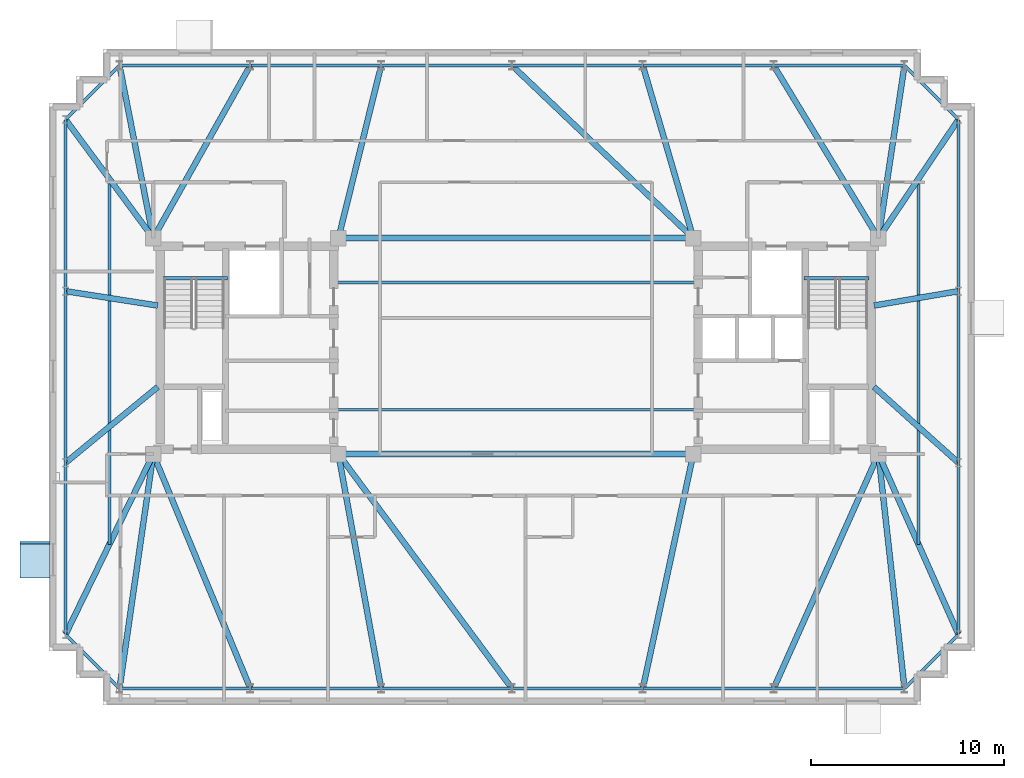
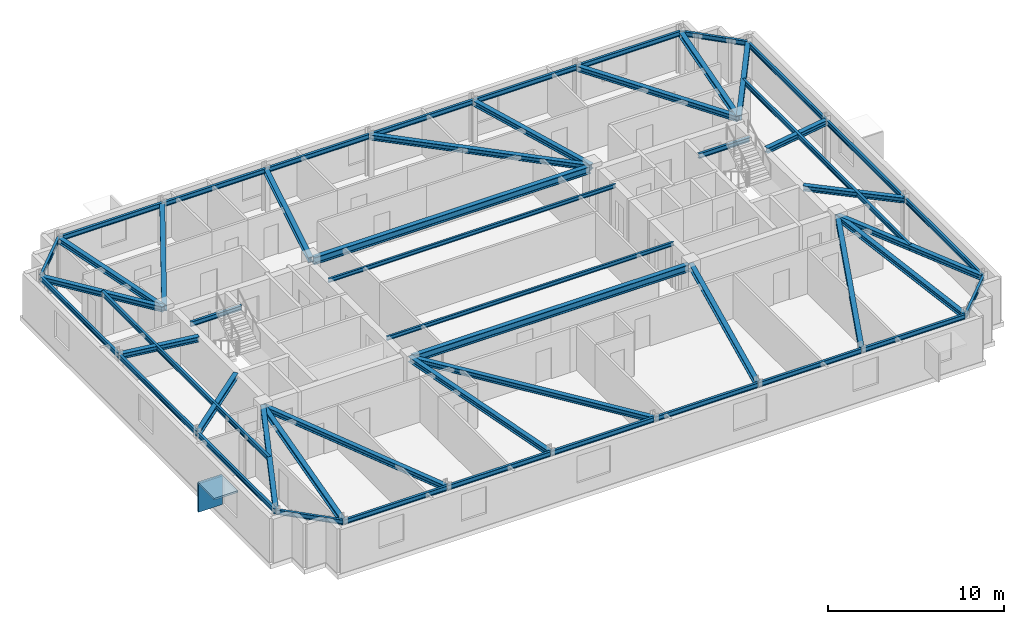
# One storey, part 4 of 11: 52 beams, 2 plates.
"""IFC4 building model written with IfcOpenShell, lengths in metres."""

from ifc_helpers import new_model, si_unit, direction, frame, origin, origin_2d, place, context, subcontext, project, spatial, rectangle, i_section, extrude, material, layer, layer_set, material_profile, profile_set, type_object, element, save


model = new_model("IFC4")

# Units and contexts
model_context = context("Model", 3, precision=1e-05, world=origin(), true_north=direction((0.0, 1.0)))
body_context = subcontext(model_context, "Body", "Model", "MODEL_VIEW")
ifc_project = project(units=[si_unit("LENGTHUNIT", "METRE"), si_unit("AREAUNIT", "SQUARE_METRE"), si_unit("VOLUMEUNIT", "CUBIC_METRE"), si_unit("PLANEANGLEUNIT", "RADIAN"), si_unit("MASSUNIT", "GRAM", prefix="KILO")], contexts=[model_context])

# Site, building, storey
site_placement = place(None, origin())
site = spatial("IfcSite", under=ifc_project, at=site_placement, CompositionType="ELEMENT")
building_placement = place(site_placement, origin())
building = spatial("IfcBuilding", under=site, at=building_placement, Name="Qobustan Lattice House", CompositionType="ELEMENT")
storey_placement = place(building_placement, frame((0.0, 0.0, 255.10009765625)))
storey = spatial("IfcBuildingStorey", under=building, at=storey_placement, Name="L72", CompositionType="ELEMENT", Elevation=255.10009765625)

# Beams
ifc_material_1 = material(Name="Steel S355", Category="steel")
ifc_material_profile_1 = material_profile(ifc_material_1, i_section(OverallWidth=0.300048828125, OverallDepth=0.5, WebThickness=0.014404296875, FlangeThickness=0.028076171875, FilletRadius=0.027099609375, at=origin_2d()), Name="HEB500")
ifc_profile_set_1 = profile_set([ifc_material_profile_1], Name="Steel S355")
beam_type_1 = type_object("IfcBeamType", Name="BM-CG-HEB500", PredefinedType="USERDEFINED", material=ifc_profile_set_1)
for number, where, z_axis, x_axis, name in (
    (1, (-9.050048828125, -5.60009765625, 2.789794921875), (1.0, 0.0, 0.0), (0.0, 1.0, 0.0), "L72 core spine girder CG-CS"),
    (2, (-9.050048828125, 5.60009765625, 2.789794921875), (1.0, 0.0, 0.0), (0.0, 1.0, 0.0), "L72 core spine girder CG-CN"),
):
    element("IfcBeam", number, at=place(storey_placement, frame(where, z_axis=z_axis, x_axis=x_axis)), inside=storey, type_object=beam_type_1, Name=name, ObjectType="GIRDER", PredefinedType="USERDEFINED", context=body_context, shape_type="SweptSolid", body=[
        extrude(i_section(OverallWidth=0.300048828125, OverallDepth=0.5, WebThickness=0.014404296875, FlangeThickness=0.028076171875, FilletRadius=0.027099609375, at=origin_2d()), origin(), (0.0, 0.0, 1.0), 18.10009765625),
    ])
ifc_material_2 = material(Name="Steel S355", Category="steel")
ifc_material_profile_2 = material_profile(ifc_material_2, i_section(OverallWidth=0.300048828125, OverallDepth=0.360107421875, WebThickness=0.012451171875, FlangeThickness=0.0224609375, FilletRadius=0.027099609375, at=origin_2d()), Name="HEB360")
ifc_profile_set_2 = profile_set([ifc_material_profile_2], Name="Steel S355")
beam_type_2 = type_object("IfcBeamType", Name="BM-FLG-HEB360", PredefinedType="USERDEFINED", material=ifc_profile_set_2)
beam_1_placement = place(storey_placement, frame((-20.54638671875, -17.725341796875, 2.85986328125), z_axis=(0.142545171265, 0.989788297642, 0.0), x_axis=(-0.989788297642, 0.142545171265, 0.0)))
element("IfcBeam", 3, at=beam_1_placement, inside=storey, type_object=beam_type_2, Name="L72 primary floor girder RAD-S1W", ObjectType="GIRDER", PredefinedType="USERDEFINED", context=body_context, shape_type="SweptSolid", body=[
    extrude(i_section(OverallWidth=0.300048828125, OverallDepth=0.360107421875, WebThickness=0.012451171875, FlangeThickness=0.0224609375, FilletRadius=0.027099609375, at=origin_2d()), origin(), (0.0, 0.0, 1.0), 12.225341796875),
])
beam_2_placement = place(storey_placement, frame((-13.7763671875, -17.726806640625, 2.85986328125), z_axis=(-0.38270783551, 0.92386942402, 0.0), x_axis=(-0.92386942402, -0.38270783551, 0.0)))
element("IfcBeam", 4, at=beam_2_placement, inside=storey, type_object=beam_type_2, Name="L72 primary floor girder RAD-S2", ObjectType="GIRDER", PredefinedType="USERDEFINED", context=body_context, shape_type="SweptSolid", body=[
    extrude(i_section(OverallWidth=0.300048828125, OverallDepth=0.360107421875, WebThickness=0.012451171875, FlangeThickness=0.0224609375, FilletRadius=0.027099609375, at=origin_2d()), origin(), (0.0, 0.0, 1.0), 13.10107421875),
])
beam_3_placement = place(storey_placement, frame((-6.98779296875, -17.725341796875, 2.85986328125), z_axis=(-0.179484493831, 0.983760802469, 0.0), x_axis=(-0.983760802469, -0.179484493831, 0.0)))
element("IfcBeam", 5, at=beam_3_placement, inside=storey, type_object=beam_type_2, Name="L72 primary floor girder RAD-S3", ObjectType="GIRDER", PredefinedType="USERDEFINED", context=body_context, shape_type="SweptSolid", body=[
    extrude(i_section(OverallWidth=0.300048828125, OverallDepth=0.360107421875, WebThickness=0.012451171875, FlangeThickness=0.0224609375, FilletRadius=0.027099609375, at=origin_2d()), origin(), (0.0, 0.0, 1.0), 12.300537109375),
])
beam_4_placement = place(storey_placement, frame((-0.21484375, -17.72998046875, 2.85986328125), z_axis=(-0.595225226069, 0.803558915233, 0.0), x_axis=(-0.803558915233, -0.595225226069, 0.0)))
element("IfcBeam", 6, at=beam_4_placement, inside=storey, type_object=beam_type_2, Name="L72 primary floor girder RAD-S4", ObjectType="GIRDER", PredefinedType="USERDEFINED", context=body_context, shape_type="SweptSolid", body=[
    extrude(i_section(OverallWidth=0.300048828125, OverallDepth=0.360107421875, WebThickness=0.012451171875, FlangeThickness=0.0224609375, FilletRadius=0.027099609375, at=origin_2d()), origin(), (0.0, 0.0, 1.0), 15.0703125),
])
beam_5_placement = place(storey_placement, frame((6.588623046875, -17.7255859375, 2.85986328125), z_axis=(0.210523018319, 0.977588900693, 0.0), x_axis=(-0.977588900693, 0.210523018319, 0.0)))
element("IfcBeam", 7, at=beam_5_placement, inside=storey, type_object=beam_type_2, Name="L72 primary floor girder RAD-S5", ObjectType="GIRDER", PredefinedType="USERDEFINED", context=body_context, shape_type="SweptSolid", body=[
    extrude(i_section(OverallWidth=0.300048828125, OverallDepth=0.360107421875, WebThickness=0.012451171875, FlangeThickness=0.0224609375, FilletRadius=0.027099609375, at=origin_2d()), origin(), (0.0, 0.0, 1.0), 12.37841796875),
])
beam_6_placement = place(storey_placement, frame((13.376953125, -17.727294921875, 2.85986328125), z_axis=(0.408219903586, 0.912883623643, 0.0), x_axis=(-0.912883623643, 0.408219903586, 0.0)))
element("IfcBeam", 8, at=beam_6_placement, inside=storey, type_object=beam_type_2, Name="L72 primary floor girder RAD-S6", ObjectType="GIRDER", PredefinedType="USERDEFINED", context=body_context, shape_type="SweptSolid", body=[
    extrude(i_section(OverallWidth=0.300048828125, OverallDepth=0.360107421875, WebThickness=0.012451171875, FlangeThickness=0.0224609375, FilletRadius=0.027099609375, at=origin_2d()), origin(), (0.0, 0.0, 1.0), 13.259521484375),
])
beam_7_placement = place(storey_placement, frame((20.147216796875, -17.72509765625, 2.85986328125), z_axis=(-0.110431526075, 0.993883734674, 0.0), x_axis=(-0.993883734674, -0.110431526075, 0.0)))
element("IfcBeam", 9, at=beam_7_placement, inside=storey, type_object=beam_type_2, Name="L72 primary floor girder RAD-S7E", ObjectType="GIRDER", PredefinedType="USERDEFINED", context=body_context, shape_type="SweptSolid", body=[
    extrude(i_section(OverallWidth=0.300048828125, OverallDepth=0.360107421875, WebThickness=0.012451171875, FlangeThickness=0.0224609375, FilletRadius=0.027099609375, at=origin_2d()), origin(), (0.0, 0.0, 1.0), 12.1748046875),
])
beam_8_placement = place(storey_placement, frame((-20.545166015625, 14.525390625, 2.85986328125), z_axis=(0.191905644581, -0.981413380578, 0.0), x_axis=(0.981413380578, 0.191905644581, 0.0)))
element("IfcBeam", 10, at=beam_8_placement, inside=storey, type_object=beam_type_2, Name="L72 primary floor girder RAD-N7W", ObjectType="GIRDER", PredefinedType="USERDEFINED", context=body_context, shape_type="SweptSolid", body=[
    extrude(i_section(OverallWidth=0.300048828125, OverallDepth=0.360107421875, WebThickness=0.012451171875, FlangeThickness=0.0224609375, FilletRadius=0.027099609375, at=origin_2d()), origin(), (0.0, 0.0, 1.0), 9.0693359375),
])
beam_9_placement = place(storey_placement, frame((-13.779052734375, 14.5283203125, 2.85986328125), z_axis=(-0.490160276962, -0.871632320929, 0.0), x_axis=(0.871632320929, -0.490160276962, 0.0)))
element("IfcBeam", 11, at=beam_9_placement, inside=storey, type_object=beam_type_2, Name="L72 primary floor girder RAD-N6", ObjectType="GIRDER", PredefinedType="USERDEFINED", context=body_context, shape_type="SweptSolid", body=[
    extrude(i_section(OverallWidth=0.300048828125, OverallDepth=0.360107421875, WebThickness=0.012451171875, FlangeThickness=0.0224609375, FilletRadius=0.027099609375, at=origin_2d()), origin(), (0.0, 0.0, 1.0), 10.21826171875),
])
beam_10_placement = place(storey_placement, frame((-6.9892578125, 14.525634765625, 2.85986328125), z_axis=(-0.240430288899, -0.970666408289, 0.0), x_axis=(0.970666408289, -0.240430288899, 0.0)))
element("IfcBeam", 12, at=beam_10_placement, inside=storey, type_object=beam_type_2, Name="L72 primary floor girder RAD-N5", ObjectType="GIRDER", PredefinedType="USERDEFINED", context=body_context, shape_type="SweptSolid", body=[
    extrude(i_section(OverallWidth=0.300048828125, OverallDepth=0.360107421875, WebThickness=0.012451171875, FlangeThickness=0.0224609375, FilletRadius=0.027099609375, at=origin_2d()), origin(), (0.0, 0.0, 1.0), 9.17041015625),
])
beam_11_placement = place(storey_placement, frame((-0.181884765625, 14.53271484375, 2.85986328125), z_axis=(0.724228633775, -0.689559921995, 0.0), x_axis=(0.689559921995, 0.724228633775, 0.0)))
element("IfcBeam", 13, at=beam_11_placement, inside=storey, type_object=beam_type_2, Name="L72 primary floor girder RAD-N4", ObjectType="GIRDER", PredefinedType="USERDEFINED", context=body_context, shape_type="SweptSolid", body=[
    extrude(i_section(OverallWidth=0.300048828125, OverallDepth=0.360107421875, WebThickness=0.012451171875, FlangeThickness=0.0224609375, FilletRadius=0.027099609375, at=origin_2d()), origin(), (0.0, 0.0, 1.0), 12.92919921875),
])
beam_12_placement = place(storey_placement, frame((6.59033203125, 14.52587890625, 2.85986328125), z_axis=(0.28063676088, -0.959814048888, 0.0), x_axis=(0.959814048888, 0.28063676088, 0.0)))
element("IfcBeam", 14, at=beam_12_placement, inside=storey, type_object=beam_type_2, Name="L72 primary floor girder RAD-N3", ObjectType="GIRDER", PredefinedType="USERDEFINED", context=body_context, shape_type="SweptSolid", body=[
    extrude(i_section(OverallWidth=0.300048828125, OverallDepth=0.360107421875, WebThickness=0.012451171875, FlangeThickness=0.0224609375, FilletRadius=0.027099609375, at=origin_2d()), origin(), (0.0, 0.0, 1.0), 9.274658203125),
])
beam_13_placement = place(storey_placement, frame((13.379638671875, 14.528564453125, 2.85986328125), z_axis=(0.518943895492, -0.854808302096, 0.0), x_axis=(0.854808302096, 0.518943895492, 0.0)))
element("IfcBeam", 15, at=beam_13_placement, inside=storey, type_object=beam_type_2, Name="L72 primary floor girder RAD-N2", ObjectType="GIRDER", PredefinedType="USERDEFINED", context=body_context, shape_type="SweptSolid", body=[
    extrude(i_section(OverallWidth=0.300048828125, OverallDepth=0.360107421875, WebThickness=0.012451171875, FlangeThickness=0.0224609375, FilletRadius=0.027099609375, at=origin_2d()), origin(), (0.0, 0.0, 1.0), 10.420166015625),
])
beam_14_placement = place(storey_placement, frame((20.146240234375, 14.525390625, 2.85986328125), z_axis=(-0.149148118249, -0.988814865798, 0.0), x_axis=(0.988814865798, -0.149148118249, 0.0)))
element("IfcBeam", 16, at=beam_14_placement, inside=storey, type_object=beam_type_2, Name="L72 primary floor girder RAD-N1E", ObjectType="GIRDER", PredefinedType="USERDEFINED", context=body_context, shape_type="SweptSolid", body=[
    extrude(i_section(OverallWidth=0.300048828125, OverallDepth=0.360107421875, WebThickness=0.012451171875, FlangeThickness=0.0224609375, FilletRadius=0.027099609375, at=origin_2d()), origin(), (0.0, 0.0, 1.0), 9.001220703125),
])
beam_15_placement = place(storey_placement, frame((-23.335205078125, 11.72998046875, 2.85986328125), z_axis=(0.594754993974, -0.80390702021, 0.0), x_axis=(0.80390702021, 0.594754993974, 0.0)))
element("IfcBeam", 17, at=beam_15_placement, inside=storey, type_object=beam_type_2, Name="L72 primary floor girder RAD-W1", ObjectType="GIRDER", PredefinedType="USERDEFINED", context=body_context, shape_type="SweptSolid", body=[
    extrude(i_section(OverallWidth=0.300048828125, OverallDepth=0.360107421875, WebThickness=0.012451171875, FlangeThickness=0.0224609375, FilletRadius=0.027099609375, at=origin_2d()), origin(), (0.0, 0.0, 1.0), 7.60009765625),
])
beam_16_placement = place(storey_placement, frame((-23.3251953125, 2.84619140625, 2.85986328125), z_axis=(0.988014453876, -0.154361390677, 0.0), x_axis=(0.154361390677, 0.988014453876, 0.0)))
element("IfcBeam", 18, at=beam_16_placement, inside=storey, type_object=beam_type_2, Name="L72 primary floor girder RAD-W2", ObjectType="GIRDER", PredefinedType="USERDEFINED", context=body_context, shape_type="SweptSolid", body=[
    extrude(i_section(OverallWidth=0.300048828125, OverallDepth=0.360107421875, WebThickness=0.012451171875, FlangeThickness=0.0224609375, FilletRadius=0.027099609375, at=origin_2d()), origin(), (0.0, 0.0, 1.0), 4.80810546875),
])
beam_17_placement = place(storey_placement, frame((-23.330810546875, -6.0341796875, 2.85986328125), z_axis=(0.772169041192, 0.635417163621, 0.0), x_axis=(-0.635417163621, 0.772169041192, 0.0)))
element("IfcBeam", 19, at=beam_17_placement, inside=storey, type_object=beam_type_2, Name="L72 primary floor girder RAD-W3", ObjectType="GIRDER", PredefinedType="USERDEFINED", context=body_context, shape_type="SweptSolid", body=[
    extrude(i_section(OverallWidth=0.300048828125, OverallDepth=0.360107421875, WebThickness=0.012451171875, FlangeThickness=0.0224609375, FilletRadius=0.027099609375, at=origin_2d()), origin(), (0.0, 0.0, 1.0), 6.166259765625),
])
beam_18_placement = place(storey_placement, frame((-23.339111328125, -14.927490234375, 2.85986328125), z_axis=(0.437590490598, 0.899174378271, 0.0), x_axis=(-0.899174378271, 0.437590490598, 0.0)))
element("IfcBeam", 20, at=beam_18_placement, inside=storey, type_object=beam_type_2, Name="L72 primary floor girder RAD-W4", ObjectType="GIRDER", PredefinedType="USERDEFINED", context=body_context, shape_type="SweptSolid", body=[
    extrude(i_section(OverallWidth=0.300048828125, OverallDepth=0.360107421875, WebThickness=0.012451171875, FlangeThickness=0.0224609375, FilletRadius=0.027099609375, at=origin_2d()), origin(), (0.0, 0.0, 1.0), 10.348388671875),
])
beam_19_placement = place(storey_placement, frame((22.93603515625, 11.729248046875, 2.85986328125), z_axis=(-0.559355068937, -0.828928167488, 0.0), x_axis=(0.828928167488, -0.559355068937, 0.0)))
element("IfcBeam", 21, at=beam_19_placement, inside=storey, type_object=beam_type_2, Name="L72 primary floor girder RAD-E4", ObjectType="GIRDER", PredefinedType="USERDEFINED", context=body_context, shape_type="SweptSolid", body=[
    extrude(i_section(OverallWidth=0.300048828125, OverallDepth=0.360107421875, WebThickness=0.012451171875, FlangeThickness=0.0224609375, FilletRadius=0.027099609375, at=origin_2d()), origin(), (0.0, 0.0, 1.0), 7.369384765625),
])
beam_20_placement = place(storey_placement, frame((22.92529296875, 2.845703125, 2.85986328125), z_axis=(-0.985786297247, -0.168004095664, 0.0), x_axis=(0.168004095664, -0.985786297247, 0.0)))
element("IfcBeam", 22, at=beam_20_placement, inside=storey, type_object=beam_type_2, Name="L72 primary floor girder RAD-E3", ObjectType="GIRDER", PredefinedType="USERDEFINED", context=body_context, shape_type="SweptSolid", body=[
    extrude(i_section(OverallWidth=0.300048828125, OverallDepth=0.360107421875, WebThickness=0.012451171875, FlangeThickness=0.0224609375, FilletRadius=0.027099609375, at=origin_2d()), origin(), (0.0, 0.0, 1.0), 4.413330078125),
])
beam_21_placement = place(storey_placement, frame((22.931396484375, -6.033203125, 2.85986328125), z_axis=(-0.744142492307, 0.668020921186, 0.0), x_axis=(-0.668020921186, -0.744142492307, 0.0)))
element("IfcBeam", 23, at=beam_21_placement, inside=storey, type_object=beam_type_2, Name="L72 primary floor girder RAD-E2", ObjectType="GIRDER", PredefinedType="USERDEFINED", context=body_context, shape_type="SweptSolid", body=[
    extrude(i_section(OverallWidth=0.300048828125, OverallDepth=0.360107421875, WebThickness=0.012451171875, FlangeThickness=0.0224609375, FilletRadius=0.027099609375, at=origin_2d()), origin(), (0.0, 0.0, 1.0), 5.86279296875),
])
beam_22_placement = place(storey_placement, frame((22.93994140625, -14.927001953125, 2.85986328125), z_axis=(-0.405702269061, 0.914005289306, 0.0), x_axis=(-0.914005289306, -0.405702269061, 0.0)))
element("IfcBeam", 24, at=beam_22_placement, inside=storey, type_object=beam_type_2, Name="L72 primary floor girder RAD-E1", ObjectType="GIRDER", PredefinedType="USERDEFINED", context=body_context, shape_type="SweptSolid", body=[
    extrude(i_section(OverallWidth=0.300048828125, OverallDepth=0.360107421875, WebThickness=0.012451171875, FlangeThickness=0.0224609375, FilletRadius=0.027099609375, at=origin_2d()), origin(), (0.0, 0.0, 1.0), 10.1796875),
])
ifc_material_3 = material(Name="Steel S355", Category="steel")
ifc_material_profile_3 = material_profile(ifc_material_3, i_section(OverallWidth=0.135009765625, OverallDepth=0.27001953125, WebThickness=0.006591796875, FlangeThickness=0.01025390625, FilletRadius=0.014892578125, at=origin_2d()), Name="IPE270")
ifc_profile_set_3 = profile_set([ifc_material_profile_3], Name="Steel S355")
beam_type_3 = type_object("IfcBeamType", Name="BM-JST-IPE270", PredefinedType="JOIST", material=ifc_profile_set_3)
for number, where, z_axis, x_axis, name in (
    (25, (-9.39990234375, -3.300048828125, 2.90478515625), (1.0, 0.0, 0.0), (0.0, 1.0, 0.0), "L72 central span floor joist 1"),
    (26, (-9.39990234375, 3.300048828125, 2.90478515625), (1.0, 0.0, 0.0), (0.0, 1.0, 0.0), "L72 central span floor joist 2"),
):
    element("IfcBeam", number, at=place(storey_placement, frame(where, z_axis=z_axis, x_axis=x_axis)), inside=storey, type_object=beam_type_3, Name=name, PredefinedType="JOIST", context=body_context, shape_type="SweptSolid", body=[
        extrude(i_section(OverallWidth=0.135009765625, OverallDepth=0.27001953125, WebThickness=0.006591796875, FlangeThickness=0.01025390625, FilletRadius=0.014892578125, at=origin_2d()), origin(), (0.0, 0.0, 1.0), 18.7998046875),
    ])
ifc_material_4 = material(Name="Steel S355", Category="steel")
ifc_material_profile_4 = material_profile(ifc_material_4, i_section(OverallWidth=0.159912109375, OverallDepth=0.330078125, WebThickness=0.007568359375, FlangeThickness=0.011474609375, FilletRadius=0.01806640625, at=origin_2d()), Name="IPE330")
ifc_profile_set_4 = profile_set([ifc_material_profile_4], Name="Steel S355")
beam_type_4 = type_object("IfcBeamType", Name="BM-SEC-IPE330", PredefinedType="BEAM", material=ifc_profile_set_4)
for number, where, z_axis, x_axis, name in (
    (27, (-21.074951171875, 8.675048828125, 2.875), (0.0, -1.0, 0.0), (1.0, 0.0, 0.0), "L72 west wing secondary beam"),
    (28, (20.875, 8.675048828125, 2.875), (0.0, -1.0, 0.0), (1.0, 0.0, 0.0), "L72 east wing secondary beam"),
):
    element("IfcBeam", number, at=place(storey_placement, frame(where, z_axis=z_axis, x_axis=x_axis)), inside=storey, type_object=beam_type_4, Name=name, PredefinedType="BEAM", context=body_context, shape_type="SweptSolid", body=[
        extrude(i_section(OverallWidth=0.159912109375, OverallDepth=0.330078125, WebThickness=0.007568359375, FlangeThickness=0.011474609375, FilletRadius=0.01806640625, at=origin_2d()), origin(), (0.0, 0.0, 1.0), 18.949951171875),
    ])
ifc_material_5 = material(Name="Steel S355", Category="steel")
ifc_material_profile_5 = material_profile(ifc_material_5, i_section(OverallWidth=0.159912109375, OverallDepth=0.330078125, WebThickness=0.007568359375, FlangeThickness=0.011474609375, FilletRadius=0.01806640625, at=origin_2d()), Name="IPE330")
ifc_profile_set_5 = profile_set([ifc_material_profile_5], Name="Steel S355")
beam_type_5 = type_object("IfcBeamType", Name="BM-SPD-IPE330", PredefinedType="SPANDREL", material=ifc_profile_set_5)
for number, where, z_axis, x_axis, name in (
    (29, (-18.300048828125, 3.52001953125, 2.875), (1.0, 0.0, 0.0), (0.0, 1.0, 0.0), "L72 west stair landing trimmer beam"),
    (30, (14.949951171875, 3.52001953125, 2.875), (1.0, 0.0, 0.0), (0.0, 1.0, 0.0), "L72 east stair landing trimmer beam"),
):
    element("IfcBeam", number, at=place(storey_placement, frame(where, z_axis=z_axis, x_axis=x_axis)), inside=storey, type_object=beam_type_5, Name=name, PredefinedType="SPANDREL", context=body_context, shape_type="SweptSolid", body=[
        extrude(i_section(OverallWidth=0.159912109375, OverallDepth=0.330078125, WebThickness=0.007568359375, FlangeThickness=0.011474609375, FilletRadius=0.01806640625, at=origin_2d()), origin(), (0.0, 0.0, 1.0), 3.35009765625),
    ])
beam_23_placement = place(storey_placement, frame((-20.52490234375, -17.75, 2.875), z_axis=(1.0, 0.0, 0.0), x_axis=(0.0, 1.0, 0.0)))
element("IfcBeam", 31, at=beam_23_placement, inside=storey, type_object=beam_type_5, Name="L72 perimeter spandrel S1-S2", PredefinedType="SPANDREL", context=body_context, shape_type="SweptSolid", body=[
    extrude(i_section(OverallWidth=0.159912109375, OverallDepth=0.330078125, WebThickness=0.007568359375, FlangeThickness=0.011474609375, FilletRadius=0.01806640625, at=origin_2d()), origin(), (0.0, 0.0, 1.0), 6.733154296875),
])
beam_24_placement = place(storey_placement, frame((-13.74169921875, -17.75, 2.875), z_axis=(1.0, 0.0, 0.0), x_axis=(0.0, 1.0, 0.0)))
element("IfcBeam", 32, at=beam_24_placement, inside=storey, type_object=beam_type_5, Name="L72 perimeter spandrel S2-S3", PredefinedType="SPANDREL", context=body_context, shape_type="SweptSolid", body=[
    extrude(i_section(OverallWidth=0.159912109375, OverallDepth=0.330078125, WebThickness=0.007568359375, FlangeThickness=0.011474609375, FilletRadius=0.01806640625, at=origin_2d()), origin(), (0.0, 0.0, 1.0), 6.7333984375),
])
beam_25_placement = place(storey_placement, frame((-6.958251953125, -17.75, 2.875), z_axis=(1.0, 0.0, 0.0), x_axis=(0.0, 1.0, 0.0)))
element("IfcBeam", 33, at=beam_25_placement, inside=storey, type_object=beam_type_5, Name="L72 perimeter spandrel S3-S4", PredefinedType="SPANDREL", context=body_context, shape_type="SweptSolid", body=[
    extrude(i_section(OverallWidth=0.159912109375, OverallDepth=0.330078125, WebThickness=0.007568359375, FlangeThickness=0.011474609375, FilletRadius=0.01806640625, at=origin_2d()), origin(), (0.0, 0.0, 1.0), 6.733154296875),
])
for number, where, z_axis, x_axis, name in (
    (34, (-0.175048828125, -17.75, 2.875), (1.0, 0.0, 0.0), (0.0, 1.0, 0.0), "L72 perimeter spandrel S4-S5"),
    (35, (6.6083984375, -17.75, 2.875), (1.0, 0.0, 0.0), (0.0, 1.0, 0.0), "L72 perimeter spandrel S5-S6"),
    (36, (13.3916015625, -17.75, 2.875), (1.0, 0.0, 0.0), (0.0, 1.0, 0.0), "L72 perimeter spandrel S6-S7"),
):
    element("IfcBeam", number, at=place(storey_placement, frame(where, z_axis=z_axis, x_axis=x_axis)), inside=storey, type_object=beam_type_5, Name=name, PredefinedType="SPANDREL", context=body_context, shape_type="SweptSolid", body=[
        extrude(i_section(OverallWidth=0.159912109375, OverallDepth=0.330078125, WebThickness=0.007568359375, FlangeThickness=0.011474609375, FilletRadius=0.01806640625, at=origin_2d()), origin(), (0.0, 0.0, 1.0), 6.7333984375),
    ])
beam_26_placement = place(storey_placement, frame((20.167724609375, -17.732421875, 2.875), z_axis=(0.707106781187, 0.707106781187, 0.0), x_axis=(-0.707106781187, 0.707106781187, 0.0)))
element("IfcBeam", 37, at=beam_26_placement, inside=storey, type_object=beam_type_5, Name="L72 perimeter spandrel S7-E1", PredefinedType="SPANDREL", context=body_context, shape_type="SweptSolid", body=[
    extrude(i_section(OverallWidth=0.159912109375, OverallDepth=0.330078125, WebThickness=0.007568359375, FlangeThickness=0.011474609375, FilletRadius=0.01806640625, at=origin_2d()), origin(), (0.0, 0.0, 1.0), 3.909912109375),
])
beam_27_placement = place(storey_placement, frame((22.949951171875, -14.925048828125, 2.875), z_axis=(0.0, 1.0, 0.0), x_axis=(-1.0, 0.0, 0.0)))
element("IfcBeam", 38, at=beam_27_placement, inside=storey, type_object=beam_type_5, Name="L72 perimeter spandrel E1-E2", PredefinedType="SPANDREL", context=body_context, shape_type="SweptSolid", body=[
    extrude(i_section(OverallWidth=0.159912109375, OverallDepth=0.330078125, WebThickness=0.007568359375, FlangeThickness=0.011474609375, FilletRadius=0.01806640625, at=origin_2d()), origin(), (0.0, 0.0, 1.0), 8.85009765625),
])
beam_28_placement = place(storey_placement, frame((22.949951171875, -6.02490234375, 2.875), z_axis=(0.0, 1.0, 0.0), x_axis=(-1.0, 0.0, 0.0)))
element("IfcBeam", 39, at=beam_28_placement, inside=storey, type_object=beam_type_5, Name="L72 perimeter spandrel E2-E3", PredefinedType="SPANDREL", context=body_context, shape_type="SweptSolid", body=[
    extrude(i_section(OverallWidth=0.159912109375, OverallDepth=0.330078125, WebThickness=0.007568359375, FlangeThickness=0.011474609375, FilletRadius=0.01806640625, at=origin_2d()), origin(), (0.0, 0.0, 1.0), 8.849853515625),
])
beam_29_placement = place(storey_placement, frame((22.949951171875, 2.875, 2.875), z_axis=(0.0, 1.0, 0.0), x_axis=(-1.0, 0.0, 0.0)))
element("IfcBeam", 40, at=beam_29_placement, inside=storey, type_object=beam_type_5, Name="L72 perimeter spandrel E3-E4", PredefinedType="SPANDREL", context=body_context, shape_type="SweptSolid", body=[
    extrude(i_section(OverallWidth=0.159912109375, OverallDepth=0.330078125, WebThickness=0.007568359375, FlangeThickness=0.011474609375, FilletRadius=0.01806640625, at=origin_2d()), origin(), (0.0, 0.0, 1.0), 8.85009765625),
])
beam_30_placement = place(storey_placement, frame((22.932373046875, 11.767578125, 2.875), z_axis=(-0.707106781187, 0.707106781187, 0.0), x_axis=(-0.707106781187, -0.707106781187, 0.0)))
element("IfcBeam", 41, at=beam_30_placement, inside=storey, type_object=beam_type_5, Name="L72 perimeter spandrel E4-N1", PredefinedType="SPANDREL", context=body_context, shape_type="SweptSolid", body=[
    extrude(i_section(OverallWidth=0.159912109375, OverallDepth=0.330078125, WebThickness=0.007568359375, FlangeThickness=0.011474609375, FilletRadius=0.01806640625, at=origin_2d()), origin(), (0.0, 0.0, 1.0), 3.909912109375),
])
for number, where, z_axis, x_axis, name in (
    (42, (20.125, 14.550048828125, 2.875), (-1.0, 0.0, 0.0), (0.0, -1.0, 0.0), "L72 perimeter spandrel N1-N2"),
    (43, (13.341796875, 14.550048828125, 2.875), (-1.0, 0.0, 0.0), (0.0, -1.0, 0.0), "L72 perimeter spandrel N2-N3"),
    (44, (6.558349609375, 14.550048828125, 2.875), (-1.0, 0.0, 0.0), (0.0, -1.0, 0.0), "L72 perimeter spandrel N3-N4"),
):
    element("IfcBeam", number, at=place(storey_placement, frame(where, z_axis=z_axis, x_axis=x_axis)), inside=storey, type_object=beam_type_5, Name=name, PredefinedType="SPANDREL", context=body_context, shape_type="SweptSolid", body=[
        extrude(i_section(OverallWidth=0.159912109375, OverallDepth=0.330078125, WebThickness=0.007568359375, FlangeThickness=0.011474609375, FilletRadius=0.01806640625, at=origin_2d()), origin(), (0.0, 0.0, 1.0), 6.7333984375),
    ])
beam_31_placement = place(storey_placement, frame((-0.22509765625, 14.550048828125, 2.875), z_axis=(-1.0, 0.0, 0.0), x_axis=(0.0, -1.0, 0.0)))
element("IfcBeam", 45, at=beam_31_placement, inside=storey, type_object=beam_type_5, Name="L72 perimeter spandrel N4-N5", PredefinedType="SPANDREL", context=body_context, shape_type="SweptSolid", body=[
    extrude(i_section(OverallWidth=0.159912109375, OverallDepth=0.330078125, WebThickness=0.007568359375, FlangeThickness=0.011474609375, FilletRadius=0.01806640625, at=origin_2d()), origin(), (0.0, 0.0, 1.0), 6.733154296875),
])
beam_32_placement = place(storey_placement, frame((-7.00830078125, 14.550048828125, 2.875), z_axis=(-1.0, 0.0, 0.0), x_axis=(0.0, -1.0, 0.0)))
element("IfcBeam", 46, at=beam_32_placement, inside=storey, type_object=beam_type_5, Name="L72 perimeter spandrel N5-N6", PredefinedType="SPANDREL", context=body_context, shape_type="SweptSolid", body=[
    extrude(i_section(OverallWidth=0.159912109375, OverallDepth=0.330078125, WebThickness=0.007568359375, FlangeThickness=0.011474609375, FilletRadius=0.01806640625, at=origin_2d()), origin(), (0.0, 0.0, 1.0), 6.7333984375),
])
beam_33_placement = place(storey_placement, frame((-13.791748046875, 14.550048828125, 2.875), z_axis=(-1.0, 0.0, 0.0), x_axis=(0.0, -1.0, 0.0)))
element("IfcBeam", 47, at=beam_33_placement, inside=storey, type_object=beam_type_5, Name="L72 perimeter spandrel N6-N7", PredefinedType="SPANDREL", context=body_context, shape_type="SweptSolid", body=[
    extrude(i_section(OverallWidth=0.159912109375, OverallDepth=0.330078125, WebThickness=0.007568359375, FlangeThickness=0.011474609375, FilletRadius=0.01806640625, at=origin_2d()), origin(), (0.0, 0.0, 1.0), 6.733154296875),
])
beam_34_placement = place(storey_placement, frame((-20.567626953125, 14.5322265625, 2.875), z_axis=(-0.707106781187, -0.707106781187, 0.0), x_axis=(0.707106781187, -0.707106781187, 0.0)))
element("IfcBeam", 48, at=beam_34_placement, inside=storey, type_object=beam_type_5, Name="L72 perimeter spandrel N7-W1", PredefinedType="SPANDREL", context=body_context, shape_type="SweptSolid", body=[
    extrude(i_section(OverallWidth=0.159912109375, OverallDepth=0.330078125, WebThickness=0.007568359375, FlangeThickness=0.011474609375, FilletRadius=0.01806640625, at=origin_2d()), origin(), (0.0, 0.0, 1.0), 3.909912109375),
])
beam_35_placement = place(storey_placement, frame((-23.35009765625, 11.72509765625, 2.875), z_axis=(0.0, -1.0, 0.0), x_axis=(1.0, 0.0, 0.0)))
element("IfcBeam", 49, at=beam_35_placement, inside=storey, type_object=beam_type_5, Name="L72 perimeter spandrel W1-W2", PredefinedType="SPANDREL", context=body_context, shape_type="SweptSolid", body=[
    extrude(i_section(OverallWidth=0.159912109375, OverallDepth=0.330078125, WebThickness=0.007568359375, FlangeThickness=0.011474609375, FilletRadius=0.01806640625, at=origin_2d()), origin(), (0.0, 0.0, 1.0), 8.85009765625),
])
beam_36_placement = place(storey_placement, frame((-23.35009765625, 2.824951171875, 2.875), z_axis=(0.0, -1.0, 0.0), x_axis=(1.0, 0.0, 0.0)))
element("IfcBeam", 50, at=beam_36_placement, inside=storey, type_object=beam_type_5, Name="L72 perimeter spandrel W2-W3", PredefinedType="SPANDREL", context=body_context, shape_type="SweptSolid", body=[
    extrude(i_section(OverallWidth=0.159912109375, OverallDepth=0.330078125, WebThickness=0.007568359375, FlangeThickness=0.011474609375, FilletRadius=0.01806640625, at=origin_2d()), origin(), (0.0, 0.0, 1.0), 8.849853515625),
])
beam_37_placement = place(storey_placement, frame((-23.35009765625, -6.074951171875, 2.875), z_axis=(0.0, -1.0, 0.0), x_axis=(1.0, 0.0, 0.0)))
element("IfcBeam", 51, at=beam_37_placement, inside=storey, type_object=beam_type_5, Name="L72 perimeter spandrel W3-W4", PredefinedType="SPANDREL", context=body_context, shape_type="SweptSolid", body=[
    extrude(i_section(OverallWidth=0.159912109375, OverallDepth=0.330078125, WebThickness=0.007568359375, FlangeThickness=0.011474609375, FilletRadius=0.01806640625, at=origin_2d()), origin(), (0.0, 0.0, 1.0), 8.85009765625),
])
beam_38_placement = place(storey_placement, frame((-23.332275390625, -14.9677734375, 2.875), z_axis=(0.707106781187, -0.707106781187, 0.0), x_axis=(0.707106781187, 0.707106781187, 0.0)))
element("IfcBeam", 52, at=beam_38_placement, inside=storey, type_object=beam_type_5, Name="L72 perimeter spandrel W4-S1", PredefinedType="SPANDREL", context=body_context, shape_type="SweptSolid", body=[
    extrude(i_section(OverallWidth=0.159912109375, OverallDepth=0.330078125, WebThickness=0.007568359375, FlangeThickness=0.011474609375, FilletRadius=0.01806640625, at=origin_2d()), origin(), (0.0, 0.0, 1.0), 3.909912109375),
])

# Plates
ifc_material_6 = material(Name="Qobustan limestone GFRC", Category="masonry")
ifc_layer = layer(ifc_material_6, 0.1201171875)
ifc_layer_set = layer_set([ifc_layer], Name="Qobustan limestone GFRC")
plate_type = type_object("IfcPlateType", Name="SHD-HOOD-BROW", PredefinedType="USERDEFINED", material=ifc_layer_set)
plate_1_placement = place(storey_placement, frame((-24.929931640625, -11.080078125, 2.699951171875), z_axis=(0.0, 0.0, 1.0), x_axis=(0.0, 1.0, 0.0)))
element("IfcPlate", 53, at=plate_1_placement, inside=storey, type_object=plate_type, Name="L72 splayed Qobustan stone hood brow", ObjectType="SUNSHADE", PredefinedType="USERDEFINED", context=body_context, shape_type="SweptSolid", body=[
    extrude(rectangle(XDim=1.889892578125, YDim=1.56005859375, at=origin_2d()), origin(), (0.0, 0.0, 1.0), 0.1201171875),
])
plate_2_placement = place(storey_placement, frame((-24.929931640625, -10.195068359375, 0.7900390625), z_axis=(0.0, 0.0, 1.0), x_axis=(0.0, 1.0, 0.0)))
element("IfcPlate", 54, at=plate_2_placement, inside=storey, type_object=plate_type, Name="L72 splayed Qobustan stone hood cheek", ObjectType="SUNSHADE", PredefinedType="USERDEFINED", context=body_context, shape_type="SweptSolid", body=[
    extrude(rectangle(XDim=0.1201171875, YDim=1.56005859375, at=origin_2d()), origin(), (0.0, 0.0, 1.0), 1.969970703125),
])

save(model, "model.ifc")
